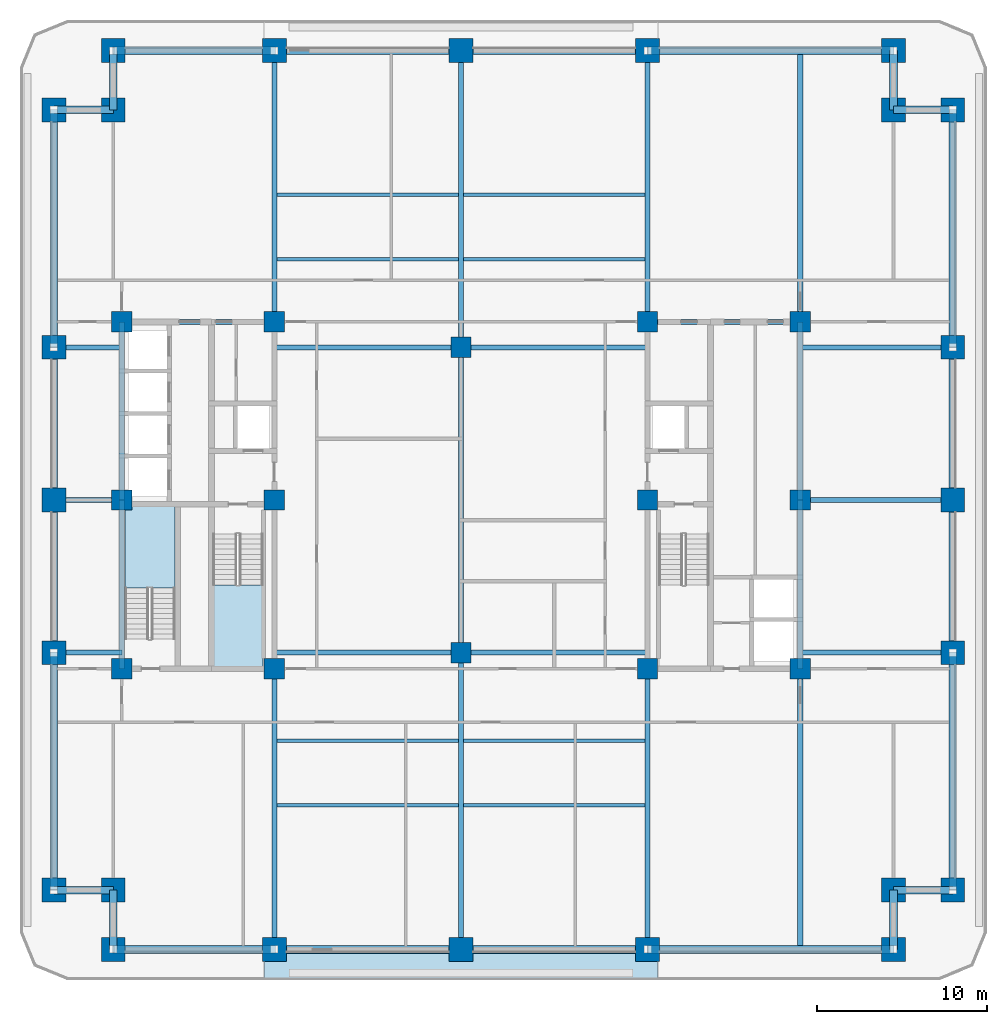
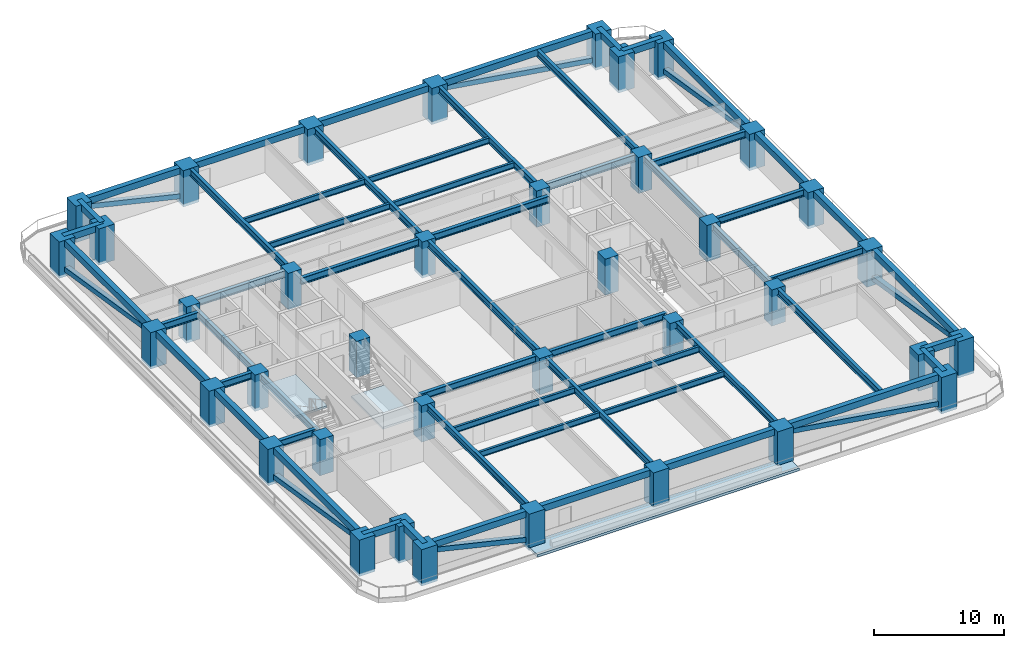
# One storey, part 1 of 12: 57 beams, 38 columns, 8 members, 3 slabs, 2 elements without a shape of their own.
"""IFC4 building model written with IfcOpenShell, lengths in metres."""

from ifc_helpers import new_model, si_unit, direction, frame, origin, origin_2d, place, context, subcontext, project, spatial, polyline, rectangle, hollow_rectangle, i_section, outline, extrude, material, layer, layer_set, material_profile, profile_set, type_object, element, aggregate, save


model = new_model("IFC4")

# Units and contexts
model_context = context("Model", 3, precision=1e-05, world=origin(), true_north=direction((0.0, 1.0)))
body_context = subcontext(model_context, "Body", "Model", "MODEL_VIEW")
ifc_project = project(units=[si_unit("LENGTHUNIT", "METRE"), si_unit("AREAUNIT", "SQUARE_METRE"), si_unit("VOLUMEUNIT", "CUBIC_METRE"), si_unit("PLANEANGLEUNIT", "RADIAN"), si_unit("MASSUNIT", "GRAM", prefix="KILO")], contexts=[model_context])

# Site, building, storey
site_placement = place(None, origin())
site = spatial("IfcSite", under=ifc_project, at=site_placement, CompositionType="ELEMENT")
building_placement = place(site_placement, origin())
building = spatial("IfcBuilding", under=site, at=building_placement, Name="Zulmaris Gate Convention Tower", CompositionType="ELEMENT")
storey_placement = place(building_placement, frame((0.0, 0.0, 48.6201171875)))
storey = spatial("IfcBuildingStorey", under=building, at=storey_placement, Name="L11", CompositionType="ELEMENT", Elevation=48.6201171875)

# Columns
ifc_material_1 = material(Name="Concrete C70/85", Category="concrete")
ifc_material_profile_1 = material_profile(ifc_material_1, rectangle(XDim=1.199951171875, YDim=1.199951171875, at=origin_2d()), Name="RC COL 1200x1200")
ifc_profile_set_1 = profile_set([ifc_material_profile_1], Name="Concrete C70/85")
column_type_1 = type_object("IfcColumnType", Name="COL-RC1200", PredefinedType="COLUMN", material=ifc_profile_set_1)
for number, where, z_axis, x_axis, name in (
    (1, (-20.0, -9.949951171875, -0.25), (0.0, 0.0, 1.0), (1.0, 0.0, 0.0), "L11 Column IN--20.00_-9.95"),
    (2, (-20.0, 10.5, -0.25), (0.0, 0.0, 1.0), (1.0, 0.0, 0.0), "L11 Column IN--20.00_+10.50"),
    (3, (-11.0, -9.949951171875, -0.25), (0.0, 0.0, 1.0), (1.0, 0.0, 0.0), "L11 Column IN--11.00_-9.95"),
    (4, (-11.0, 0.0, -0.25), (0.0, 0.0, 1.0), (1.0, 0.0, 0.0), "L11 Column IN--11.00_+0.00"),
    (5, (-11.0, 10.5, -0.25), (0.0, 0.0, 1.0), (1.0, 0.0, 0.0), "L11 Column IN--11.00_+10.50"),
    (6, (11.0, -9.949951171875, -0.25), (0.0, 0.0, 1.0), (1.0, 0.0, 0.0), "L11 Column IN-+11.00_-9.95"),
    (7, (11.0, 0.0, -0.25), (0.0, 0.0, 1.0), (1.0, 0.0, 0.0), "L11 Column IN-+11.00_+0.00"),
    (8, (11.0, 10.5, -0.25), (0.0, 0.0, 1.0), (1.0, 0.0, 0.0), "L11 Column IN-+11.00_+10.50"),
    (9, (20.0, -9.949951171875, -0.25), (0.0, 0.0, 1.0), (1.0, 0.0, 0.0), "L11 Column IN-+20.00_-9.95"),
    (10, (20.0, 10.5, -0.25), (0.0, 0.0, 1.0), (1.0, 0.0, 0.0), "L11 Column IN-+20.00_+10.50"),
    (11, (0.0, -9.0, -0.25), (0.0, 0.0, 1.0), (1.0, 0.0, 0.0), "L11 Column IN-+0.00_-9.00"),
    (12, (0.0, 9.0, -0.25), (0.0, 0.0, 1.0), (1.0, 0.0, 0.0), "L11 Column IN-+0.00_+9.00"),
    (13, (-20.0, 0.0, -0.25), (0.0, 0.0, 1.0), (1.0, 0.0, 0.0), "L11 Column IN--20.00_+0.00"),
    (14, (20.0, 0.0, -0.25), (0.0, 0.0, 1.0), (1.0, 0.0, 0.0), "L11 Column IN-+20.00_+0.00"),
):
    element("IfcColumn", number, at=place(storey_placement, frame(where, z_axis=z_axis, x_axis=x_axis)), inside=storey, type_object=column_type_1, Name=name, PredefinedType="COLUMN", context=body_context, shape_type="SweptSolid", body=[
        extrude(rectangle(XDim=1.199951171875, YDim=1.199951171875, at=origin_2d()), origin(), (0.0, 0.0, 1.0), 3.394775390625),
    ])
ifc_material_2 = material(Name="Concrete C80/95", Category="concrete")
ifc_material_profile_2 = material_profile(ifc_material_2, rectangle(XDim=1.39990234375, YDim=1.39990234375, at=origin_2d()), Name="RC COL 1400x1400")
ifc_profile_set_2 = profile_set([ifc_material_profile_2], Name="Concrete C80/95")
column_type_2 = type_object("IfcColumnType", Name="COL-RC1400", PredefinedType="COLUMN", material=ifc_profile_set_2)
for number, where, z_axis, x_axis, name in (
    (15, (-20.5, -26.5, -0.25), (0.0, 0.0, 1.0), (1.0, 0.0, 0.0), "L11 Column PT--20.50_-26.50"),
    (16, (-11.0, -26.5, -0.25), (0.0, 0.0, 1.0), (1.0, 0.0, 0.0), "L11 Column PT--11.00_-26.50"),
    (17, (0.0, -26.5, -0.25), (0.0, 0.0, 1.0), (1.0, 0.0, 0.0), "L11 Column PT-+0.00_-26.50"),
    (18, (11.0, -26.5, -0.25), (0.0, 0.0, 1.0), (1.0, 0.0, 0.0), "L11 Column PT-+11.00_-26.50"),
    (19, (25.5, -26.5, -0.25), (0.0, 0.0, 1.0), (1.0, 0.0, 0.0), "L11 Column PT-+25.50_-26.50"),
    (20, (-20.5, 26.5, -0.25), (0.0, 0.0, 1.0), (1.0, 0.0, 0.0), "L11 Column PT--20.50_+26.50"),
    (21, (-11.0, 26.5, -0.25), (0.0, 0.0, 1.0), (1.0, 0.0, 0.0), "L11 Column PT--11.00_+26.50"),
    (22, (0.0, 26.5, -0.25), (0.0, 0.0, 1.0), (1.0, 0.0, 0.0), "L11 Column PT-+0.00_+26.50"),
    (23, (11.0, 26.5, -0.25), (0.0, 0.0, 1.0), (1.0, 0.0, 0.0), "L11 Column PT-+11.00_+26.50"),
    (24, (25.5, 26.5, -0.25), (0.0, 0.0, 1.0), (1.0, 0.0, 0.0), "L11 Column PT-+25.50_+26.50"),
    (25, (-24.0, -23.0, -0.25), (0.0, 0.0, 1.0), (1.0, 0.0, 0.0), "L11 Column PT--24.00_-23.00"),
    (26, (-24.0, -9.0, -0.25), (0.0, 0.0, 1.0), (1.0, 0.0, 0.0), "L11 Column PT--24.00_-9.00"),
    (27, (-24.0, 0.0, -0.25), (0.0, 0.0, 1.0), (1.0, 0.0, 0.0), "L11 Column PT--24.00_+0.00"),
    (28, (-24.0, 9.0, -0.25), (0.0, 0.0, 1.0), (1.0, 0.0, 0.0), "L11 Column PT--24.00_+9.00"),
    (29, (-24.0, 23.0, -0.25), (0.0, 0.0, 1.0), (1.0, 0.0, 0.0), "L11 Column PT--24.00_+23.00"),
    (30, (29.0, -23.0, -0.25), (0.0, 0.0, 1.0), (1.0, 0.0, 0.0), "L11 Column PT-+29.00_-23.00"),
    (31, (29.0, -9.0, -0.25), (0.0, 0.0, 1.0), (1.0, 0.0, 0.0), "L11 Column PT-+29.00_-9.00"),
    (32, (29.0, 0.0, -0.25), (0.0, 0.0, 1.0), (1.0, 0.0, 0.0), "L11 Column PT-+29.00_+0.00"),
    (33, (29.0, 9.0, -0.25), (0.0, 0.0, 1.0), (1.0, 0.0, 0.0), "L11 Column PT-+29.00_+9.00"),
    (34, (29.0, 23.0, -0.25), (0.0, 0.0, 1.0), (1.0, 0.0, 0.0), "L11 Column PT-+29.00_+23.00"),
    (35, (-20.5, -23.0, -0.25), (0.0, 0.0, 1.0), (1.0, 0.0, 0.0), "L11 Column PT--20.50_-23.00"),
    (36, (25.5, -23.0, -0.25), (0.0, 0.0, 1.0), (1.0, 0.0, 0.0), "L11 Column PT-+25.50_-23.00"),
    (37, (25.5, 23.0, -0.25), (0.0, 0.0, 1.0), (1.0, 0.0, 0.0), "L11 Column PT-+25.50_+23.00"),
    (38, (-20.5, 23.0, -0.25), (0.0, 0.0, 1.0), (1.0, 0.0, 0.0), "L11 Column PT--20.50_+23.00"),
):
    element("IfcColumn", number, at=place(storey_placement, frame(where, z_axis=z_axis, x_axis=x_axis)), inside=storey, type_object=column_type_2, Name=name, PredefinedType="COLUMN", context=body_context, shape_type="SweptSolid", body=[
        extrude(rectangle(XDim=1.39990234375, YDim=1.39990234375, at=origin_2d()), origin(), (0.0, 0.0, 1.0), 3.394775390625),
    ])

# Beams
ifc_material_3 = material(Name="Steel S355", Category="steel")
ifc_material_profile_3 = material_profile(ifc_material_3, i_section(OverallWidth=0.300048828125, OverallDepth=0.64990234375, WebThickness=0.01611328125, FlangeThickness=0.031005859375, FilletRadius=0.027099609375, at=origin_2d()), Name="HEB 650")
ifc_profile_set_3 = profile_set([ifc_material_profile_3], Name="Steel S355")
beam_type_1 = type_object("IfcBeamType", Name="BM-HEB650", PredefinedType="BEAM", material=ifc_profile_set_3)
for number, where, z_axis, x_axis, name in (
    (39, (-11.0, -9.0, 2.81787109375), (1.0, 0.0, 0.0), (0.0, 1.0, 0.0), "L11 Beam BM-L11-G01"),
    (40, (0.0, -9.0, 2.81787109375), (1.0, 0.0, 0.0), (0.0, 1.0, 0.0), "L11 Beam BM-L11-G02"),
    (41, (-11.0, 9.0, 2.81787109375), (1.0, 0.0, 0.0), (0.0, 1.0, 0.0), "L11 Beam BM-L11-G03"),
    (42, (0.0, 9.0, 2.81787109375), (1.0, 0.0, 0.0), (0.0, 1.0, 0.0), "L11 Beam BM-L11-G04"),
):
    element("IfcBeam", number, at=place(storey_placement, frame(where, z_axis=z_axis, x_axis=x_axis)), inside=storey, type_object=beam_type_1, Name=name, PredefinedType="BEAM", context=body_context, shape_type="SweptSolid", body=[
        extrude(i_section(OverallWidth=0.300048828125, OverallDepth=0.64990234375, WebThickness=0.01611328125, FlangeThickness=0.031005859375, FilletRadius=0.027099609375, at=origin_2d()), origin(), (0.0, 0.0, 1.0), 11.0),
    ])
beam_1_placement = place(storey_placement, frame((0.0, -26.5, 2.81787109375), z_axis=(0.0, 1.0, 0.0), x_axis=(-1.0, 0.0, 0.0)))
element("IfcBeam", 43, at=beam_1_placement, inside=storey, type_object=beam_type_1, Name="L11 Beam BM-L11-G05", PredefinedType="BEAM", context=body_context, shape_type="SweptSolid", body=[
    extrude(i_section(OverallWidth=0.300048828125, OverallDepth=0.64990234375, WebThickness=0.01611328125, FlangeThickness=0.031005859375, FilletRadius=0.027099609375, at=origin_2d()), origin(), (0.0, 0.0, 1.0), 17.5),
])
beam_2_placement = place(storey_placement, frame((0.0, -9.0, 2.81787109375), z_axis=(0.0, 1.0, 0.0), x_axis=(-1.0, 0.0, 0.0)))
element("IfcBeam", 44, at=beam_2_placement, inside=storey, type_object=beam_type_1, Name="L11 Beam BM-L11-G06", PredefinedType="BEAM", context=body_context, shape_type="SweptSolid", body=[
    extrude(i_section(OverallWidth=0.300048828125, OverallDepth=0.64990234375, WebThickness=0.01611328125, FlangeThickness=0.031005859375, FilletRadius=0.027099609375, at=origin_2d()), origin(), (0.0, 0.0, 1.0), 18.0),
])
beam_3_placement = place(storey_placement, frame((0.0, 9.0, 2.81787109375), z_axis=(0.0, 1.0, 0.0), x_axis=(-1.0, 0.0, 0.0)))
element("IfcBeam", 45, at=beam_3_placement, inside=storey, type_object=beam_type_1, Name="L11 Beam BM-L11-G07", PredefinedType="BEAM", context=body_context, shape_type="SweptSolid", body=[
    extrude(i_section(OverallWidth=0.300048828125, OverallDepth=0.64990234375, WebThickness=0.01611328125, FlangeThickness=0.031005859375, FilletRadius=0.027099609375, at=origin_2d()), origin(), (0.0, 0.0, 1.0), 17.5),
])
beam_4_placement = place(storey_placement, frame((-11.0, -26.5, 2.81787109375), z_axis=(0.0, 1.0, 0.0), x_axis=(-1.0, 0.0, 0.0)))
element("IfcBeam", 46, at=beam_4_placement, inside=storey, type_object=beam_type_1, Name="L11 Beam BM-L11-G08", PredefinedType="BEAM", context=body_context, shape_type="SweptSolid", body=[
    extrude(i_section(OverallWidth=0.300048828125, OverallDepth=0.64990234375, WebThickness=0.01611328125, FlangeThickness=0.031005859375, FilletRadius=0.027099609375, at=origin_2d()), origin(), (0.0, 0.0, 1.0), 16.550048828125),
])
beam_5_placement = place(storey_placement, frame((-11.0, 10.5, 2.81787109375), z_axis=(0.0, 1.0, 0.0), x_axis=(-1.0, 0.0, 0.0)))
element("IfcBeam", 47, at=beam_5_placement, inside=storey, type_object=beam_type_1, Name="L11 Beam BM-L11-G09", PredefinedType="BEAM", context=body_context, shape_type="SweptSolid", body=[
    extrude(i_section(OverallWidth=0.300048828125, OverallDepth=0.64990234375, WebThickness=0.01611328125, FlangeThickness=0.031005859375, FilletRadius=0.027099609375, at=origin_2d()), origin(), (0.0, 0.0, 1.0), 16.0),
])
beam_6_placement = place(storey_placement, frame((11.0, -26.5, 2.81787109375), z_axis=(0.0, 1.0, 0.0), x_axis=(-1.0, 0.0, 0.0)))
element("IfcBeam", 48, at=beam_6_placement, inside=storey, type_object=beam_type_1, Name="L11 Beam BM-L11-G10", PredefinedType="BEAM", context=body_context, shape_type="SweptSolid", body=[
    extrude(i_section(OverallWidth=0.300048828125, OverallDepth=0.64990234375, WebThickness=0.01611328125, FlangeThickness=0.031005859375, FilletRadius=0.027099609375, at=origin_2d()), origin(), (0.0, 0.0, 1.0), 16.550048828125),
])
beam_7_placement = place(storey_placement, frame((11.0, 10.5, 2.81787109375), z_axis=(0.0, 1.0, 0.0), x_axis=(-1.0, 0.0, 0.0)))
element("IfcBeam", 49, at=beam_7_placement, inside=storey, type_object=beam_type_1, Name="L11 Beam BM-L11-G11", PredefinedType="BEAM", context=body_context, shape_type="SweptSolid", body=[
    extrude(i_section(OverallWidth=0.300048828125, OverallDepth=0.64990234375, WebThickness=0.01611328125, FlangeThickness=0.031005859375, FilletRadius=0.027099609375, at=origin_2d()), origin(), (0.0, 0.0, 1.0), 16.0),
])
beam_8_placement = place(storey_placement, frame((20.0, -26.5, 2.81787109375), z_axis=(0.0, 1.0, 0.0), x_axis=(-1.0, 0.0, 0.0)))
element("IfcBeam", 50, at=beam_8_placement, inside=storey, type_object=beam_type_1, Name="L11 Beam BM-L11-G14", PredefinedType="BEAM", context=body_context, shape_type="SweptSolid", body=[
    extrude(i_section(OverallWidth=0.300048828125, OverallDepth=0.64990234375, WebThickness=0.01611328125, FlangeThickness=0.031005859375, FilletRadius=0.027099609375, at=origin_2d()), origin(), (0.0, 0.0, 1.0), 16.550048828125),
])
beam_9_placement = place(storey_placement, frame((20.0, 10.5, 2.81787109375), z_axis=(0.0, 1.0, 0.0), x_axis=(-1.0, 0.0, 0.0)))
element("IfcBeam", 51, at=beam_9_placement, inside=storey, type_object=beam_type_1, Name="L11 Beam BM-L11-G15", PredefinedType="BEAM", context=body_context, shape_type="SweptSolid", body=[
    extrude(i_section(OverallWidth=0.300048828125, OverallDepth=0.64990234375, WebThickness=0.01611328125, FlangeThickness=0.031005859375, FilletRadius=0.027099609375, at=origin_2d()), origin(), (0.0, 0.0, 1.0), 16.0),
])
for number, where, z_axis, x_axis, name in (
    (52, (-24.0, -9.0, 2.81787109375), (1.0, 0.0, 0.0), (0.0, 1.0, 0.0), "L11 Beam BM-L11-G16"),
    (53, (-24.0, 0.0, 2.81787109375), (1.0, 0.0, 0.0), (0.0, 1.0, 0.0), "L11 Beam BM-L11-G17"),
    (54, (-24.0, 9.0, 2.81787109375), (1.0, 0.0, 0.0), (0.0, 1.0, 0.0), "L11 Beam BM-L11-G18"),
):
    element("IfcBeam", number, at=place(storey_placement, frame(where, z_axis=z_axis, x_axis=x_axis)), inside=storey, type_object=beam_type_1, Name=name, PredefinedType="BEAM", context=body_context, shape_type="SweptSolid", body=[
        extrude(i_section(OverallWidth=0.300048828125, OverallDepth=0.64990234375, WebThickness=0.01611328125, FlangeThickness=0.031005859375, FilletRadius=0.027099609375, at=origin_2d()), origin(), (0.0, 0.0, 1.0), 4.0),
    ])
for number, where, z_axis, x_axis, name in (
    (55, (20.0, -9.0, 2.81787109375), (1.0, 0.0, 0.0), (0.0, 1.0, 0.0), "L11 Beam BM-L11-G19"),
    (56, (20.0, 0.0, 2.81787109375), (1.0, 0.0, 0.0), (0.0, 1.0, 0.0), "L11 Beam BM-L11-G20"),
    (57, (20.0, 9.0, 2.81787109375), (1.0, 0.0, 0.0), (0.0, 1.0, 0.0), "L11 Beam BM-L11-G21"),
    (58, (-20.0, 10.5, 2.81787109375), (1.0, 0.0, 0.0), (0.0, 1.0, 0.0), "L11 Beam BM-L11-G23"),
    (59, (11.0, 10.5, 2.81787109375), (1.0, 0.0, 0.0), (0.0, 1.0, 0.0), "L11 Beam BM-L11-G25"),
):
    element("IfcBeam", number, at=place(storey_placement, frame(where, z_axis=z_axis, x_axis=x_axis)), inside=storey, type_object=beam_type_1, Name=name, PredefinedType="BEAM", context=body_context, shape_type="SweptSolid", body=[
        extrude(i_section(OverallWidth=0.300048828125, OverallDepth=0.64990234375, WebThickness=0.01611328125, FlangeThickness=0.031005859375, FilletRadius=0.027099609375, at=origin_2d()), origin(), (0.0, 0.0, 1.0), 9.0),
    ])
beam_10_placement = place(storey_placement, frame((-20.0, -9.949951171875, 2.81787109375), z_axis=(0.0, 1.0, 0.0), x_axis=(-1.0, 0.0, 0.0)))
element("IfcBeam", 60, at=beam_10_placement, inside=storey, type_object=beam_type_1, Name="L11 Beam BM-L11-G26", PredefinedType="BEAM", context=body_context, shape_type="SweptSolid", body=[
    extrude(i_section(OverallWidth=0.300048828125, OverallDepth=0.64990234375, WebThickness=0.01611328125, FlangeThickness=0.031005859375, FilletRadius=0.027099609375, at=origin_2d()), origin(), (0.0, 0.0, 1.0), 9.949951171875),
])
beam_11_placement = place(storey_placement, frame((-20.0, 0.0, 2.81787109375), z_axis=(0.0, 1.0, 0.0), x_axis=(-1.0, 0.0, 0.0)))
element("IfcBeam", 61, at=beam_11_placement, inside=storey, type_object=beam_type_1, Name="L11 Beam BM-L11-G27", PredefinedType="BEAM", context=body_context, shape_type="SweptSolid", body=[
    extrude(i_section(OverallWidth=0.300048828125, OverallDepth=0.64990234375, WebThickness=0.01611328125, FlangeThickness=0.031005859375, FilletRadius=0.027099609375, at=origin_2d()), origin(), (0.0, 0.0, 1.0), 10.5),
])
beam_12_placement = place(storey_placement, frame((20.0, -9.949951171875, 2.81787109375), z_axis=(0.0, 1.0, 0.0), x_axis=(-1.0, 0.0, 0.0)))
element("IfcBeam", 62, at=beam_12_placement, inside=storey, type_object=beam_type_1, Name="L11 Beam BM-L11-G28", PredefinedType="BEAM", context=body_context, shape_type="SweptSolid", body=[
    extrude(i_section(OverallWidth=0.300048828125, OverallDepth=0.64990234375, WebThickness=0.01611328125, FlangeThickness=0.031005859375, FilletRadius=0.027099609375, at=origin_2d()), origin(), (0.0, 0.0, 1.0), 9.949951171875),
])
beam_13_placement = place(storey_placement, frame((20.0, 0.0, 2.81787109375), z_axis=(0.0, 1.0, 0.0), x_axis=(-1.0, 0.0, 0.0)))
element("IfcBeam", 63, at=beam_13_placement, inside=storey, type_object=beam_type_1, Name="L11 Beam BM-L11-G29", PredefinedType="BEAM", context=body_context, shape_type="SweptSolid", body=[
    extrude(i_section(OverallWidth=0.300048828125, OverallDepth=0.64990234375, WebThickness=0.01611328125, FlangeThickness=0.031005859375, FilletRadius=0.027099609375, at=origin_2d()), origin(), (0.0, 0.0, 1.0), 10.5),
])
ifc_material_4 = material(Name="Precast concrete C50/60", Category="concrete")
ifc_material_profile_4 = material_profile(ifc_material_4, rectangle(XDim=0.449951171875, YDim=0.60009765625, at=origin_2d()), Name="RC SPANDREL 450x600")
ifc_profile_set_4 = profile_set([ifc_material_profile_4], Name="Precast concrete C50/60")
beam_type_2 = type_object("IfcBeamType", Name="BM-SP450x600", PredefinedType="SPANDREL", material=ifc_profile_set_4)
beam_14_placement = place(storey_placement, frame((-20.5, -26.5, 2.8447265625), z_axis=(1.0, 0.0, 0.0), x_axis=(0.0, 1.0, 0.0)))
element("IfcBeam", 64, at=beam_14_placement, inside=storey, type_object=beam_type_2, Name="L11 Spandrel SP-L11-01", PredefinedType="SPANDREL", context=body_context, shape_type="SweptSolid", body=[
    extrude(rectangle(XDim=0.449951171875, YDim=0.60009765625, at=origin_2d()), origin(), (0.0, 0.0, 1.0), 9.5),
])
for number, where, z_axis, x_axis, name in (
    (65, (-11.0, -26.5, 2.8447265625), (1.0, 0.0, 0.0), (0.0, 1.0, 0.0), "L11 Spandrel SP-L11-02"),
    (66, (0.0, -26.5, 2.8447265625), (1.0, 0.0, 0.0), (0.0, 1.0, 0.0), "L11 Spandrel SP-L11-03"),
):
    element("IfcBeam", number, at=place(storey_placement, frame(where, z_axis=z_axis, x_axis=x_axis)), inside=storey, type_object=beam_type_2, Name=name, PredefinedType="SPANDREL", context=body_context, shape_type="SweptSolid", body=[
        extrude(rectangle(XDim=0.449951171875, YDim=0.60009765625, at=origin_2d()), origin(), (0.0, 0.0, 1.0), 11.0),
    ])
beam_15_placement = place(storey_placement, frame((11.0, -26.5, 2.8447265625), z_axis=(1.0, 0.0, 0.0), x_axis=(0.0, 1.0, 0.0)))
element("IfcBeam", 67, at=beam_15_placement, inside=storey, type_object=beam_type_2, Name="L11 Spandrel SP-L11-04", PredefinedType="SPANDREL", context=body_context, shape_type="SweptSolid", body=[
    extrude(rectangle(XDim=0.449951171875, YDim=0.60009765625, at=origin_2d()), origin(), (0.0, 0.0, 1.0), 14.5),
])
for number, where, z_axis, x_axis, name in (
    (68, (25.5, -26.5, 2.8447265625), (0.0, 1.0, 0.0), (-1.0, 0.0, 0.0), "L11 Spandrel SP-L11-05"),
    (69, (25.5, -23.0, 2.8447265625), (1.0, 0.0, 0.0), (0.0, 1.0, 0.0), "L11 Spandrel SP-L11-06"),
):
    element("IfcBeam", number, at=place(storey_placement, frame(where, z_axis=z_axis, x_axis=x_axis)), inside=storey, type_object=beam_type_2, Name=name, PredefinedType="SPANDREL", context=body_context, shape_type="SweptSolid", body=[
        extrude(rectangle(XDim=0.449951171875, YDim=0.60009765625, at=origin_2d()), origin(), (0.0, 0.0, 1.0), 3.5),
    ])
beam_16_placement = place(storey_placement, frame((29.0, -23.0, 2.8447265625), z_axis=(0.0, 1.0, 0.0), x_axis=(-1.0, 0.0, 0.0)))
element("IfcBeam", 70, at=beam_16_placement, inside=storey, type_object=beam_type_2, Name="L11 Spandrel SP-L11-07", PredefinedType="SPANDREL", context=body_context, shape_type="SweptSolid", body=[
    extrude(rectangle(XDim=0.449951171875, YDim=0.60009765625, at=origin_2d()), origin(), (0.0, 0.0, 1.0), 14.0),
])
for number, where, z_axis, x_axis, name in (
    (71, (29.0, -9.0, 2.8447265625), (0.0, 1.0, 0.0), (-1.0, 0.0, 0.0), "L11 Spandrel SP-L11-08"),
    (72, (29.0, 0.0, 2.8447265625), (0.0, 1.0, 0.0), (-1.0, 0.0, 0.0), "L11 Spandrel SP-L11-09"),
):
    element("IfcBeam", number, at=place(storey_placement, frame(where, z_axis=z_axis, x_axis=x_axis)), inside=storey, type_object=beam_type_2, Name=name, PredefinedType="SPANDREL", context=body_context, shape_type="SweptSolid", body=[
        extrude(rectangle(XDim=0.449951171875, YDim=0.60009765625, at=origin_2d()), origin(), (0.0, 0.0, 1.0), 9.0),
    ])
beam_17_placement = place(storey_placement, frame((29.0, 9.0, 2.8447265625), z_axis=(0.0, 1.0, 0.0), x_axis=(-1.0, 0.0, 0.0)))
element("IfcBeam", 73, at=beam_17_placement, inside=storey, type_object=beam_type_2, Name="L11 Spandrel SP-L11-10", PredefinedType="SPANDREL", context=body_context, shape_type="SweptSolid", body=[
    extrude(rectangle(XDim=0.449951171875, YDim=0.60009765625, at=origin_2d()), origin(), (0.0, 0.0, 1.0), 14.0),
])
for number, where, z_axis, x_axis, name in (
    (74, (29.0, 23.0, 2.8447265625), (-1.0, 0.0, 0.0), (0.0, -1.0, 0.0), "L11 Spandrel SP-L11-11"),
    (75, (25.5, 23.0, 2.8447265625), (0.0, 1.0, 0.0), (-1.0, 0.0, 0.0), "L11 Spandrel SP-L11-12"),
):
    element("IfcBeam", number, at=place(storey_placement, frame(where, z_axis=z_axis, x_axis=x_axis)), inside=storey, type_object=beam_type_2, Name=name, PredefinedType="SPANDREL", context=body_context, shape_type="SweptSolid", body=[
        extrude(rectangle(XDim=0.449951171875, YDim=0.60009765625, at=origin_2d()), origin(), (0.0, 0.0, 1.0), 3.5),
    ])
beam_18_placement = place(storey_placement, frame((25.5, 26.5, 2.8447265625), z_axis=(-1.0, 0.0, 0.0), x_axis=(0.0, -1.0, 0.0)))
element("IfcBeam", 76, at=beam_18_placement, inside=storey, type_object=beam_type_2, Name="L11 Spandrel SP-L11-13", PredefinedType="SPANDREL", context=body_context, shape_type="SweptSolid", body=[
    extrude(rectangle(XDim=0.449951171875, YDim=0.60009765625, at=origin_2d()), origin(), (0.0, 0.0, 1.0), 14.5),
])
for number, where, z_axis, x_axis, name in (
    (77, (11.0, 26.5, 2.8447265625), (-1.0, 0.0, 0.0), (0.0, -1.0, 0.0), "L11 Spandrel SP-L11-14"),
    (78, (0.0, 26.5, 2.8447265625), (-1.0, 0.0, 0.0), (0.0, -1.0, 0.0), "L11 Spandrel SP-L11-15"),
):
    element("IfcBeam", number, at=place(storey_placement, frame(where, z_axis=z_axis, x_axis=x_axis)), inside=storey, type_object=beam_type_2, Name=name, PredefinedType="SPANDREL", context=body_context, shape_type="SweptSolid", body=[
        extrude(rectangle(XDim=0.449951171875, YDim=0.60009765625, at=origin_2d()), origin(), (0.0, 0.0, 1.0), 11.0),
    ])
beam_19_placement = place(storey_placement, frame((-11.0, 26.5, 2.8447265625), z_axis=(-1.0, 0.0, 0.0), x_axis=(0.0, -1.0, 0.0)))
element("IfcBeam", 79, at=beam_19_placement, inside=storey, type_object=beam_type_2, Name="L11 Spandrel SP-L11-16", PredefinedType="SPANDREL", context=body_context, shape_type="SweptSolid", body=[
    extrude(rectangle(XDim=0.449951171875, YDim=0.60009765625, at=origin_2d()), origin(), (0.0, 0.0, 1.0), 9.5),
])
for number, where, z_axis, x_axis, name in (
    (80, (-20.5, 26.5, 2.8447265625), (0.0, -1.0, 0.0), (1.0, 0.0, 0.0), "L11 Spandrel SP-L11-17"),
    (81, (-20.5, 23.0, 2.8447265625), (-1.0, 0.0, 0.0), (0.0, -1.0, 0.0), "L11 Spandrel SP-L11-18"),
):
    element("IfcBeam", number, at=place(storey_placement, frame(where, z_axis=z_axis, x_axis=x_axis)), inside=storey, type_object=beam_type_2, Name=name, PredefinedType="SPANDREL", context=body_context, shape_type="SweptSolid", body=[
        extrude(rectangle(XDim=0.449951171875, YDim=0.60009765625, at=origin_2d()), origin(), (0.0, 0.0, 1.0), 3.5),
    ])
beam_20_placement = place(storey_placement, frame((-24.0, 23.0, 2.8447265625), z_axis=(0.0, -1.0, 0.0), x_axis=(1.0, 0.0, 0.0)))
element("IfcBeam", 82, at=beam_20_placement, inside=storey, type_object=beam_type_2, Name="L11 Spandrel SP-L11-19", PredefinedType="SPANDREL", context=body_context, shape_type="SweptSolid", body=[
    extrude(rectangle(XDim=0.449951171875, YDim=0.60009765625, at=origin_2d()), origin(), (0.0, 0.0, 1.0), 14.0),
])
for number, where, z_axis, x_axis, name in (
    (83, (-24.0, 9.0, 2.8447265625), (0.0, -1.0, 0.0), (1.0, 0.0, 0.0), "L11 Spandrel SP-L11-20"),
    (84, (-24.0, 0.0, 2.8447265625), (0.0, -1.0, 0.0), (1.0, 0.0, 0.0), "L11 Spandrel SP-L11-21"),
):
    element("IfcBeam", number, at=place(storey_placement, frame(where, z_axis=z_axis, x_axis=x_axis)), inside=storey, type_object=beam_type_2, Name=name, PredefinedType="SPANDREL", context=body_context, shape_type="SweptSolid", body=[
        extrude(rectangle(XDim=0.449951171875, YDim=0.60009765625, at=origin_2d()), origin(), (0.0, 0.0, 1.0), 9.0),
    ])
beam_21_placement = place(storey_placement, frame((-24.0, -9.0, 2.8447265625), z_axis=(0.0, -1.0, 0.0), x_axis=(1.0, 0.0, 0.0)))
element("IfcBeam", 85, at=beam_21_placement, inside=storey, type_object=beam_type_2, Name="L11 Spandrel SP-L11-22", PredefinedType="SPANDREL", context=body_context, shape_type="SweptSolid", body=[
    extrude(rectangle(XDim=0.449951171875, YDim=0.60009765625, at=origin_2d()), origin(), (0.0, 0.0, 1.0), 14.0),
])
for number, where, z_axis, x_axis, name in (
    (86, (-24.0, -23.0, 2.8447265625), (1.0, 0.0, 0.0), (0.0, 1.0, 0.0), "L11 Spandrel SP-L11-23"),
    (87, (-20.5, -23.0, 2.8447265625), (0.0, -1.0, 0.0), (1.0, 0.0, 0.0), "L11 Spandrel SP-L11-24"),
):
    element("IfcBeam", number, at=place(storey_placement, frame(where, z_axis=z_axis, x_axis=x_axis)), inside=storey, type_object=beam_type_2, Name=name, PredefinedType="SPANDREL", context=body_context, shape_type="SweptSolid", body=[
        extrude(rectangle(XDim=0.449951171875, YDim=0.60009765625, at=origin_2d()), origin(), (0.0, 0.0, 1.0), 3.5),
    ])

# Members
ifc_material_5 = material(Name="Steel S460", Category="steel")
ifc_material_profile_5 = material_profile(ifc_material_5, hollow_rectangle(XDim=0.449951171875, YDim=0.449951171875, WallThickness=0.02490234375, at=origin_2d()), Name="SHS 450x450x25")
ifc_profile_set_5 = profile_set([ifc_material_profile_5], Name="Steel S460")
member_type = type_object("IfcMemberType", Name="BR-SHS450", PredefinedType="BRACE", material=ifc_profile_set_5)
for number, where, z_axis, x_axis, name in (
    (88, (-24.0, -9.0, 0.300048828125), (0.0, -0.987606772438, 0.156948599979), (1.0, 0.0, 0.0), "L11 Perimeter Tube Diagonal SW-W"),
    (89, (-24.0, 23.0, 0.300048828125), (0.0, -0.987606772438, 0.156948599979), (1.0, 0.0, 0.0), "L11 Perimeter Tube Diagonal NW-W"),
    (90, (29.0, -9.0, 0.300048828125), (0.0, -0.987606772438, 0.156948599979), (1.0, 0.0, 0.0), "L11 Perimeter Tube Diagonal SE-E"),
    (91, (29.0, 23.0, 0.300048828125), (0.0, -0.987606772438, 0.156948599979), (1.0, 0.0, 0.0), "L11 Perimeter Tube Diagonal NE-E"),
):
    element("IfcMember", number, at=place(storey_placement, frame(where, z_axis=z_axis, x_axis=x_axis)), inside=storey, type_object=member_type, Name=name, PredefinedType="BRACE", context=body_context, shape_type="SweptSolid", body=[
        extrude(hollow_rectangle(XDim=0.449951171875, YDim=0.449951171875, WallThickness=0.02490234375, at=origin_2d()), origin(), (0.0, 0.0, 1.0), 14.17578125),
    ])
member_1_placement = place(storey_placement, frame((-11.0, -26.5, 0.300048828125), z_axis=(-0.97365521048, 0.0, 0.22802528611), x_axis=(0.0, -1.0, 0.0)))
element("IfcMember", 92, at=member_1_placement, inside=storey, type_object=member_type, Name="L11 Perimeter Tube Diagonal SW-S", PredefinedType="BRACE", context=body_context, shape_type="SweptSolid", body=[
    extrude(hollow_rectangle(XDim=0.449951171875, YDim=0.449951171875, WallThickness=0.02490234375, at=origin_2d()), origin(), (0.0, 0.0, 1.0), 9.757080078125),
])
member_2_placement = place(storey_placement, frame((25.5, -26.5, 0.300048828125), z_axis=(-0.988432224833, 0.0, 0.151663235198), x_axis=(0.0, -1.0, 0.0)))
element("IfcMember", 93, at=member_2_placement, inside=storey, type_object=member_type, Name="L11 Perimeter Tube Diagonal SE-S", PredefinedType="BRACE", context=body_context, shape_type="SweptSolid", body=[
    extrude(hollow_rectangle(XDim=0.449951171875, YDim=0.449951171875, WallThickness=0.02490234375, at=origin_2d()), origin(), (0.0, 0.0, 1.0), 14.669677734375),
])
member_3_placement = place(storey_placement, frame((-11.0, 26.5, 0.300048828125), z_axis=(-0.97365521048, 0.0, 0.22802528611), x_axis=(0.0, -1.0, 0.0)))
element("IfcMember", 94, at=member_3_placement, inside=storey, type_object=member_type, Name="L11 Perimeter Tube Diagonal NW-N", PredefinedType="BRACE", context=body_context, shape_type="SweptSolid", body=[
    extrude(hollow_rectangle(XDim=0.449951171875, YDim=0.449951171875, WallThickness=0.02490234375, at=origin_2d()), origin(), (0.0, 0.0, 1.0), 9.757080078125),
])
member_4_placement = place(storey_placement, frame((25.5, 26.5, 0.300048828125), z_axis=(-0.988432224833, 0.0, 0.151663235198), x_axis=(0.0, -1.0, 0.0)))
element("IfcMember", 95, at=member_4_placement, inside=storey, type_object=member_type, Name="L11 Perimeter Tube Diagonal NE-N", PredefinedType="BRACE", context=body_context, shape_type="SweptSolid", body=[
    extrude(hollow_rectangle(XDim=0.449951171875, YDim=0.449951171875, WallThickness=0.02490234375, at=origin_2d()), origin(), (0.0, 0.0, 1.0), 14.669677734375),
])

# Beams
ifc_material_profile_6 = material_profile(ifc_material_3, i_section(OverallWidth=0.2099609375, OverallDepth=0.550048828125, WebThickness=0.010986328125, FlangeThickness=0.01708984375, FilletRadius=0.02392578125, at=origin_2d()), Name="IPE 550")
ifc_profile_set_6 = profile_set([ifc_material_profile_6], Name="Steel S355")
beam_type_3 = type_object("IfcBeamType", Name="JT-IPE550", PredefinedType="JOIST", material=ifc_profile_set_6)
for number, where, z_axis, x_axis, name in (
    (96, (-10.85009765625, -18.0, 2.86767578125), (1.0, 0.0, 0.0), (0.0, 1.0, 0.0), "L11 Joist JT-L11-CW--18.0"),
    (97, (0.14990234375, -18.0, 2.86767578125), (1.0, 0.0, 0.0), (0.0, 1.0, 0.0), "L11 Joist JT-L11-CE--18.0"),
    (98, (-10.85009765625, -14.199951171875, 2.86767578125), (1.0, 0.0, 0.0), (0.0, 1.0, 0.0), "L11 Joist JT-L11-CW--14.2"),
    (99, (0.14990234375, -14.199951171875, 2.86767578125), (1.0, 0.0, 0.0), (0.0, 1.0, 0.0), "L11 Joist JT-L11-CE--14.2"),
    (100, (-10.85009765625, 14.199951171875, 2.86767578125), (1.0, 0.0, 0.0), (0.0, 1.0, 0.0), "L11 Joist JT-L11-CW-+14.2"),
    (101, (0.14990234375, 14.199951171875, 2.86767578125), (1.0, 0.0, 0.0), (0.0, 1.0, 0.0), "L11 Joist JT-L11-CE-+14.2"),
    (102, (-10.85009765625, 18.0, 2.86767578125), (1.0, 0.0, 0.0), (0.0, 1.0, 0.0), "L11 Joist JT-L11-CW-+18.0"),
    (103, (0.14990234375, 18.0, 2.86767578125), (1.0, 0.0, 0.0), (0.0, 1.0, 0.0), "L11 Joist JT-L11-CE-+18.0"),
):
    element("IfcBeam", number, at=place(storey_placement, frame(where, z_axis=z_axis, x_axis=x_axis)), inside=storey, type_object=beam_type_3, Name=name, PredefinedType="JOIST", context=body_context, shape_type="SweptSolid", body=[
        extrude(i_section(OverallWidth=0.2099609375, OverallDepth=0.550048828125, WebThickness=0.010986328125, FlangeThickness=0.01708984375, FilletRadius=0.02392578125, at=origin_2d()), origin(), (0.0, 0.0, 1.0), 10.7001953125),
    ])

# Slab
ifc_layer_1 = layer(ifc_material_4, 0.239990234375, Name="Precast concrete C50/60")
ifc_layer_set_1 = layer_set([ifc_layer_1], Name="Precast concrete C50/60")
slab_type_1 = type_object("IfcSlabType", Name="SL-BAL-240", PredefinedType="FLOOR", material=ifc_layer_set_1)
slab_1_placement = place(storey_placement, frame((0.0, 0.0, -0.25)))
element("IfcSlab", 104, at=slab_1_placement, inside=storey, type_object=slab_type_1, Name="L11 South Tree-Balcony Planter Slab", PredefinedType="FLOOR", context=body_context, shape_type="SweptSolid", body=[
    extrude(outline(polyline([(-11.597900390625, -28.300048828125), (-11.597900390625, -26.5), (11.597900390625, -26.5), (11.597900390625, -28.300048828125), (-11.597900390625, -28.300048828125)])), origin(), (0.0, 0.0, 1.0), 0.239990234375),
])

# Stair, slab
ifc_material_6 = material(Name="Concrete C45/55", Category="concrete")
stair_type = type_object("IfcStairType", Name="ST-CORE-DOGLEG", PredefinedType="HALF_TURN_STAIR", material=ifc_material_6)
stair_1_placement = place(storey_placement, origin())
stair_1 = element("IfcStair", 105, at=stair_1_placement, inside=storey, type_object=stair_type, Name="L11 Core Exit Stair ST-1", PredefinedType="HALF_TURN_STAIR")
ifc_layer_2 = layer(ifc_material_6, 0.199951171875, Name="Concrete C45/55")
ifc_layer_set_2 = layer_set([ifc_layer_2], Name="Concrete C45/55")
slab_type_2 = type_object("IfcSlabType", Name="SL-LND-200", PredefinedType="LANDING", material=ifc_layer_set_2)
slab_2_placement = place(storey_placement, frame((0.0, 0.0, 1.5849609375)))
slab_2 = element("IfcSlab", 106, at=slab_2_placement, type_object=slab_type_2, Name="ST-1 landing 1", PredefinedType="LANDING", context=body_context, shape_type="SweptSolid", body=[
    extrude(outline(polyline([(-14.6201171875, -5.0), (-14.6201171875, -9.85009765625), (-11.659912109375, -9.85009765625), (-11.659912109375, -5.0), (-14.6201171875, -5.0)])), origin(), (0.0, 0.0, 1.0), 0.199951171875),
])
aggregate(stair_1, [slab_2])

stair_2_placement = place(storey_placement, origin())
stair_2 = element("IfcStair", 107, at=stair_2_placement, inside=storey, type_object=stair_type, Name="L11 Core Exit Stair ST-3", PredefinedType="HALF_TURN_STAIR")
slab_3_placement = place(storey_placement, frame((0.0, 0.0, 1.5849609375)))
slab_3 = element("IfcSlab", 108, at=slab_3_placement, type_object=slab_type_2, Name="ST-3 landing 1", PredefinedType="LANDING", context=body_context, shape_type="SweptSolid", body=[
    extrude(outline(polyline([(-16.860107421875, -5.199951171875), (-16.860107421875, -0.35009765625), (-19.820068359375, -0.35009765625), (-19.820068359375, -5.199951171875), (-16.860107421875, -5.199951171875)])), origin(), (0.0, 0.0, 1.0), 0.199951171875),
])
aggregate(stair_2, [slab_3])

save(model, "model.ifc")
